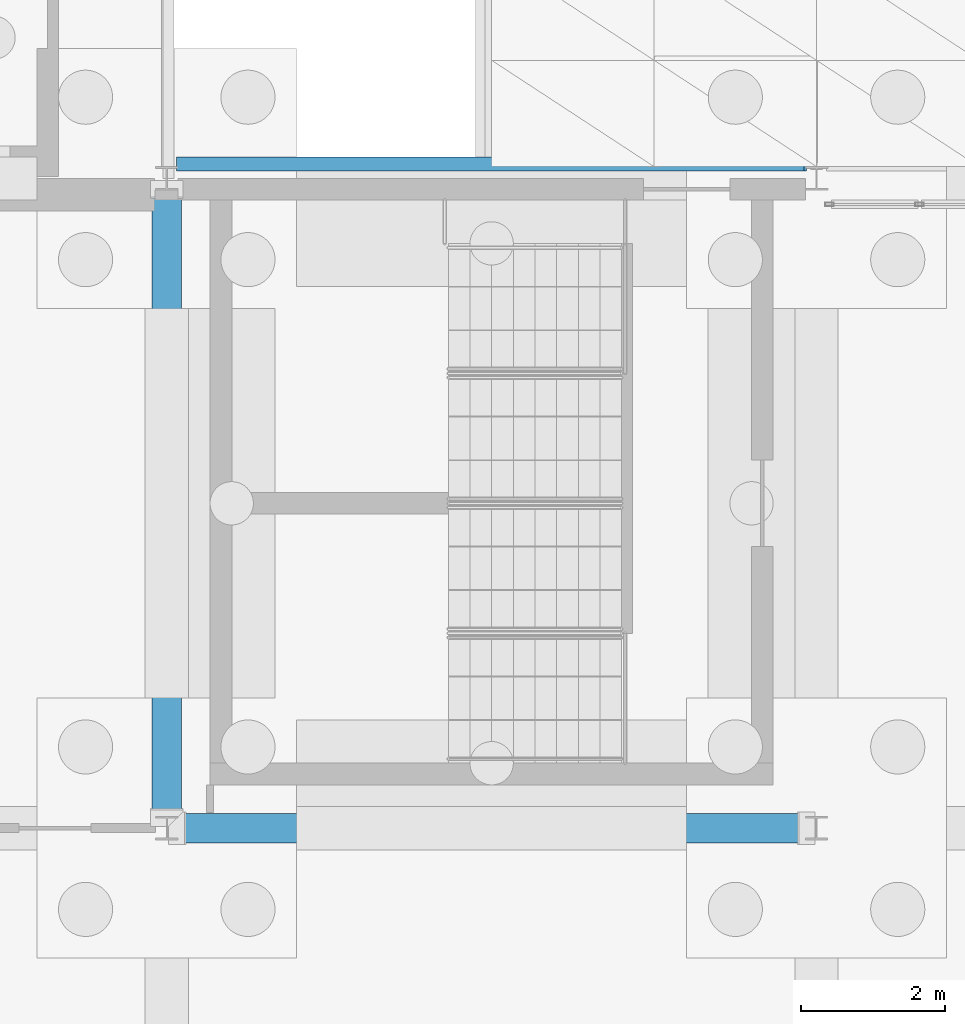
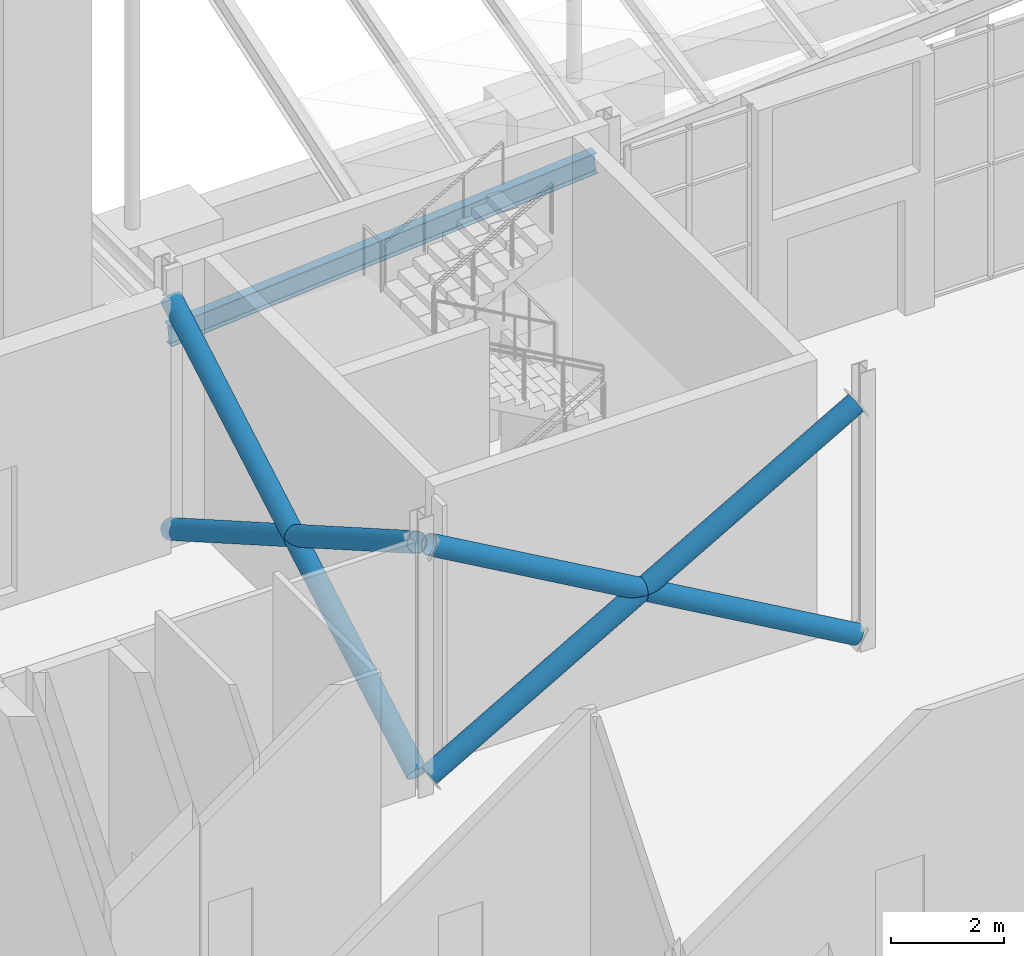
# One storey, part 70 of 139: 4 members, 1 beam.
"""IFC4 building model written with IfcOpenShell, lengths in metres."""

from ifc_helpers import new_model, si_unit, direction, frame, origin, origin_2d, place, context, subcontext, project, spatial, hollow_circle, i_section, extrude, material, material_profile, profile_set, type_object, element, save


model = new_model("IFC4")

# Units and contexts
model_context = context("Model", 3, precision=1e-05, world=origin(), true_north=direction((0.0, 1.0)))
body_context = subcontext(model_context, "Body", "Model", "MODEL_VIEW")
ifc_project = project(units=[si_unit("LENGTHUNIT", "METRE"), si_unit("AREAUNIT", "SQUARE_METRE"), si_unit("VOLUMEUNIT", "CUBIC_METRE"), si_unit("PLANEANGLEUNIT", "RADIAN"), si_unit("MASSUNIT", "GRAM", prefix="KILO")], contexts=[model_context])

# Site, building, storey
site_placement = place(None, origin())
site = spatial("IfcSite", under=ifc_project, at=site_placement, CompositionType="ELEMENT")
building_placement = place(site_placement, origin())
building = spatial("IfcBuilding", under=site, at=building_placement, Name="Shorebreak Coast Museum", CompositionType="ELEMENT")
storey_placement = place(building_placement, origin())
storey = spatial("IfcBuildingStorey", under=building, at=storey_placement, Name="L00", CompositionType="ELEMENT", Elevation=0.0)

# Beam
ifc_material_1 = material(Name="Steel Grade 300", Category="steel")
ifc_material_profile_1 = material_profile(ifc_material_1, i_section(OverallWidth=0.18994140625, OverallDepth=0.453857421875, WebThickness=0.008544921875, FlangeThickness=0.0126953125, FilletRadius=0.011474609375, at=origin_2d()), Name="460UB67.1")
ifc_profile_set_1 = profile_set([ifc_material_profile_1], Name="Steel Grade 300")
beam_type = type_object("IfcBeamType", Name="Canopy ring beam 460UB67.1", PredefinedType="BEAM", material=ifc_profile_set_1)
beam_placement = place(storey_placement, frame((63.155517578125, 117.199951171875, 4.217529296875), z_axis=(0.996728316426, 0.0, 0.080824892419), x_axis=(0.0, 1.0, 0.0)))
element("IfcBeam", 1, at=beam_placement, inside=storey, type_object=beam_type, Name="Canopy ring beam ENT-N building side 1", PredefinedType="BEAM", context=body_context, shape_type="SweptSolid", body=[
    extrude(i_section(OverallWidth=0.18994140625, OverallDepth=0.453857421875, WebThickness=0.008544921875, FlangeThickness=0.0126953125, FilletRadius=0.011474609375, at=origin_2d()), origin(), (0.0, 0.0, 1.0), 8.717529296875),
])

# Members
ifc_material_2 = material(Name="Steel Grade C350L0", Category="steel")
ifc_material_profile_2 = material_profile(ifc_material_2, hollow_circle(Radius=0.203125, WallThickness=0.0126953125, at=origin_2d()), Name="406.4x12.7 CHS")
ifc_profile_set_2 = profile_set([ifc_material_profile_2], Name="Steel Grade C350L0")
member_type = type_object("IfcMemberType", Name="X-brace 406.4x12.7 CHS", PredefinedType="BRACE", material=ifc_profile_set_2)
for number, where, z_axis, x_axis, name in (
    (2, (63.154541015625, 108.0, 0.300048828125), (0.867872326888, 0.0, 0.496787302798), (0.0, 1.0, 0.0), "X-brace bay 09 L00 diagonal 1"),
    (3, (71.845458984375, 108.0, 0.300048828125), (-0.867872326888, 0.0, 0.496787302798), (0.0, -1.0, 0.0), "X-brace bay 09 L00 diagonal 2"),
):
    element("IfcMember", number, at=place(storey_placement, frame(where, z_axis=z_axis, x_axis=x_axis)), inside=storey, type_object=member_type, Name=name, PredefinedType="BRACE", context=body_context, shape_type="SweptSolid", body=[
        extrude(hollow_circle(Radius=0.203125, WallThickness=0.0126953125, at=origin_2d()), origin(), (0.0, 0.0, 1.0), 10.01416015625),
    ])
for number, where, z_axis, x_axis, name in (
    (4, (63.0, 108.160400390625, 0.300048828125), (0.0, 0.867504585625, 0.497429184829), (-1.0, 0.0, 0.0), "X-brace bay 10 L00 diagonal 1"),
    (5, (63.0, 116.83642578125, 0.300048828125), (0.0, -0.867504585625, 0.497429184829), (1.0, 0.0, 0.0), "X-brace bay 10 L00 diagonal 2"),
):
    element("IfcMember", number, at=place(storey_placement, frame(where, z_axis=z_axis, x_axis=x_axis)), inside=storey, type_object=member_type, Name=name, PredefinedType="BRACE", context=body_context, shape_type="SweptSolid", body=[
        extrude(hollow_circle(Radius=0.203125, WallThickness=0.0126953125, at=origin_2d()), origin(), (0.0, 0.0, 1.0), 10.001220703125),
    ])

save(model, "model.ifc")
